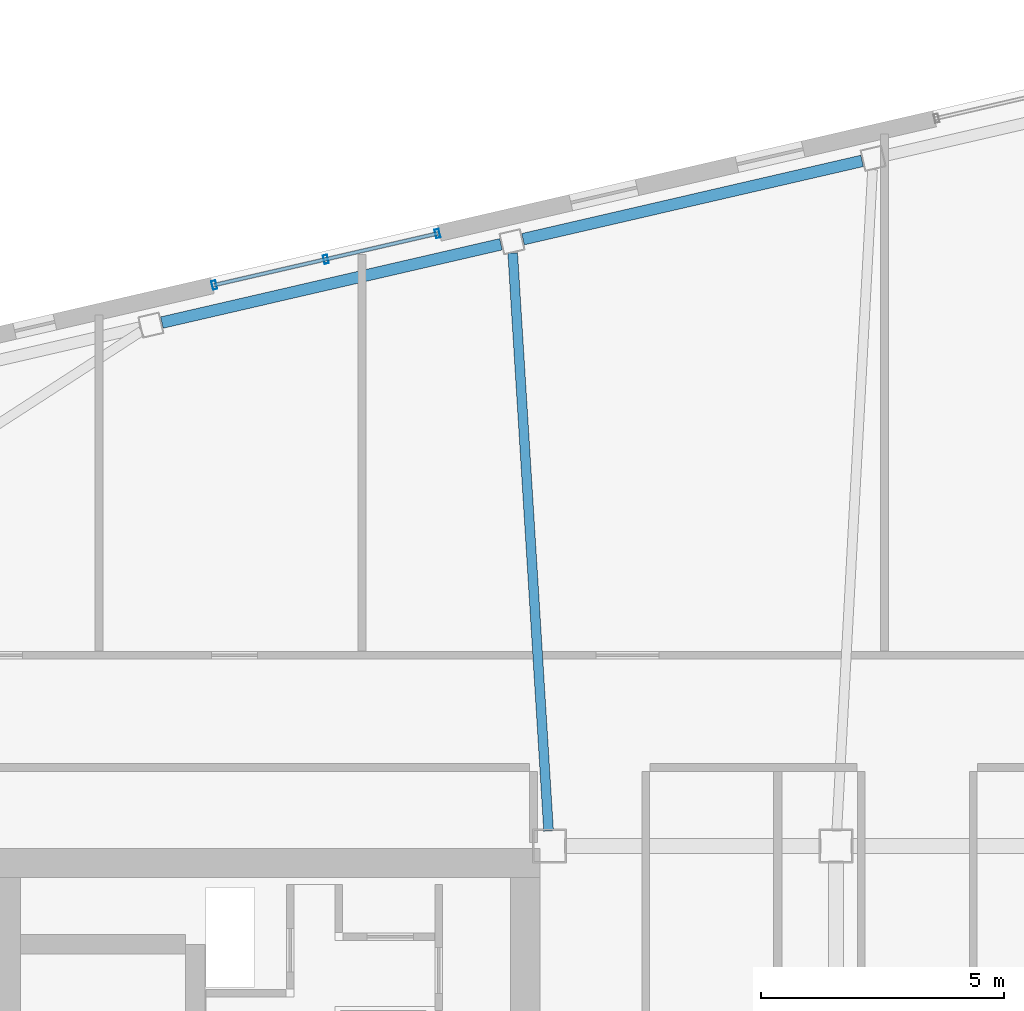
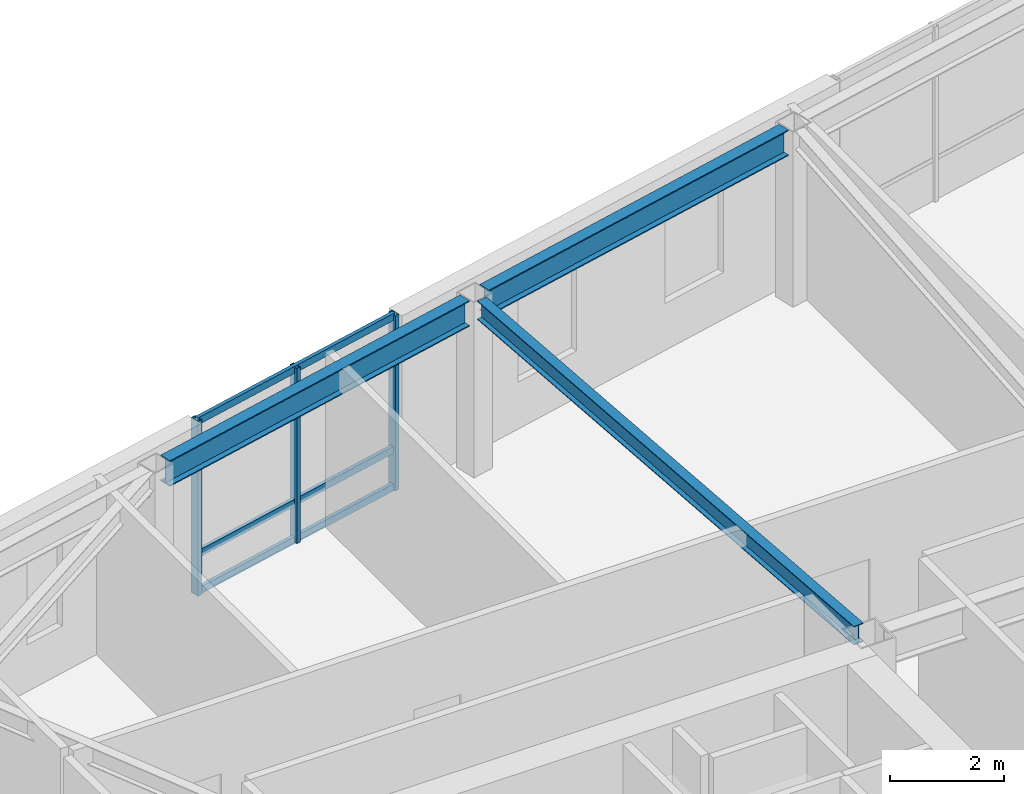
# One storey, part 12 of 23: 6 members, 3 beams, 1 element without a shape of its own.
"""IFC4 building model written with IfcOpenShell, lengths in metres."""

from ifc_helpers import new_model, si_unit, direction, frame, origin, origin_2d, place, context, subcontext, project, spatial, hollow_rectangle, i_section, extrude, material, layer, layer_set, material_profile, profile_set, type_object, element, aggregate, save


model = new_model("IFC4")

# Units and contexts
model_context = context("Model", 3, precision=1e-05, world=origin(), true_north=direction((0.0, 1.0)))
body_context = subcontext(model_context, "Body", "Model", "MODEL_VIEW")
ifc_project = project(units=[si_unit("LENGTHUNIT", "METRE"), si_unit("AREAUNIT", "SQUARE_METRE"), si_unit("VOLUMEUNIT", "CUBIC_METRE"), si_unit("PLANEANGLEUNIT", "RADIAN"), si_unit("MASSUNIT", "GRAM", prefix="KILO")], contexts=[model_context])

# Site, building, storey
site_placement = place(None, origin())
site = spatial("IfcSite", under=ifc_project, at=site_placement, CompositionType="ELEMENT")
building_placement = place(site_placement, origin())
building = spatial("IfcBuilding", under=site, at=building_placement, Name="Tavrogorsk Clinical Tower", CompositionType="ELEMENT")
storey_placement = place(building_placement, frame((0.0, 0.0, 297.0)))
storey = spatial("IfcBuildingStorey", under=building, at=storey_placement, Name="L69", CompositionType="ELEMENT", Elevation=297.0)

# Curtain wall, members
ifc_material_1 = material(Name="Anodised aluminium and triple IGU glazing", Category="aluminium")
ifc_layer = layer(ifc_material_1, 0.179931640625)
ifc_layer_set = layer_set([ifc_layer], Name="Anodised aluminium and triple IGU glazing")
curtain_wall_type = type_object("IfcCurtainWallType", Name="CW2_NorthSlot", PredefinedType="NOTDEFINED", material=ifc_layer_set)
curtain_wall_placement = place(storey_placement, origin())
curtain_wall = element("IfcCurtainWall", 1, at=curtain_wall_placement, inside=storey, type_object=curtain_wall_type, Name="L69 Curtain Wall CW-L69-N-SLOT-1", PredefinedType="NOTDEFINED")
ifc_material_2 = material(Name="Anodised aluminium alloy AW-6060", Category="aluminium")
ifc_material_profile_1 = material_profile(ifc_material_2, hollow_rectangle(XDim=0.090087890625, YDim=0.179931640625, WallThickness=0.00634765625, at=origin_2d()), Name="RHS-180x90x6.3")
ifc_profile_set_1 = profile_set([ifc_material_profile_1], Name="Anodised aluminium alloy AW-6060")
member_type_1 = type_object("IfcMemberType", Name="CwMullion_180x90", PredefinedType="MULLION", material=ifc_profile_set_1)
member_1_placement = place(storey_placement, frame((-12.608154296875, 18.9658203125, 0.0), z_axis=(0.0, 0.0, 1.0), x_axis=(-0.974370057377, -0.224951086434, 0.0)))
member_1 = element("IfcMember", 2, at=member_1_placement, type_object=member_type_1, Name="CW-L69-N-SLOT-1 Mullion 1", PredefinedType="MULLION", context=body_context, shape_type="SweptSolid", body=[
    extrude(hollow_rectangle(XDim=0.090087890625, YDim=0.179931640625, WallThickness=0.00634765625, at=origin_2d()), origin(), (0.0, 0.0, 1.0), 3.739990234375),
])
member_2_placement = place(storey_placement, frame((-14.90673828125, 18.435302734375, 0.0), z_axis=(0.0, 0.0, 1.0), x_axis=(-0.974370057377, -0.224951086434, 0.0)))
member_2 = element("IfcMember", 3, at=member_2_placement, type_object=member_type_1, Name="CW-L69-N-SLOT-1 Mullion 2", PredefinedType="MULLION", context=body_context, shape_type="SweptSolid", body=[
    extrude(hollow_rectangle(XDim=0.090087890625, YDim=0.179931640625, WallThickness=0.00634765625, at=origin_2d()), origin(), (0.0, 0.0, 1.0), 3.739990234375),
])
member_3_placement = place(storey_placement, frame((-17.205322265625, 17.904541015625, 0.0), z_axis=(0.0, 0.0, 1.0), x_axis=(-0.974370057377, -0.224951086434, 0.0)))
member_3 = element("IfcMember", 4, at=member_3_placement, type_object=member_type_1, Name="CW-L69-N-SLOT-1 Mullion 3", PredefinedType="MULLION", context=body_context, shape_type="SweptSolid", body=[
    extrude(hollow_rectangle(XDim=0.090087890625, YDim=0.179931640625, WallThickness=0.00634765625, at=origin_2d()), origin(), (0.0, 0.0, 1.0), 3.739990234375),
])
ifc_material_3 = material(Name="Anodised aluminium alloy AW-6060", Category="aluminium")
ifc_material_profile_2 = material_profile(ifc_material_3, hollow_rectangle(XDim=0.074951171875, YDim=0.14990234375, WallThickness=0.0048828125, at=origin_2d()), Name="RHS-150x75x5")
ifc_profile_set_2 = profile_set([ifc_material_profile_2], Name="Anodised aluminium alloy AW-6060")
member_type_2 = type_object("IfcMemberType", Name="CwTransom_150x75", PredefinedType="USERDEFINED", material=ifc_profile_set_2)
member_4_placement = place(storey_placement, frame((-12.608154296875, 18.9658203125, 0.050048828125), z_axis=(-0.974372877948, -0.22493886885, 0.0), x_axis=(0.22493886885, -0.974372877948, 0.0)))
member_4 = element("IfcMember", 5, at=member_4_placement, type_object=member_type_2, Name="CW-L69-N-SLOT-1 Transom 1", ObjectType="TRANSOM", PredefinedType="USERDEFINED", context=body_context, shape_type="SweptSolid", body=[
    extrude(hollow_rectangle(XDim=0.074951171875, YDim=0.14990234375, WallThickness=0.0048828125, at=origin_2d()), origin(), (0.0, 0.0, 1.0), 4.718017578125),
])
member_5_placement = place(storey_placement, frame((-12.608154296875, 18.9658203125, 0.85009765625), z_axis=(-0.974372877948, -0.22493886885, 0.0), x_axis=(0.22493886885, -0.974372877948, 0.0)))
member_5 = element("IfcMember", 6, at=member_5_placement, type_object=member_type_2, Name="CW-L69-N-SLOT-1 Transom 2", ObjectType="TRANSOM", PredefinedType="USERDEFINED", context=body_context, shape_type="SweptSolid", body=[
    extrude(hollow_rectangle(XDim=0.074951171875, YDim=0.14990234375, WallThickness=0.0048828125, at=origin_2d()), origin(), (0.0, 0.0, 1.0), 4.718017578125),
])
member_6_placement = place(storey_placement, frame((-12.608154296875, 18.9658203125, 3.68994140625), z_axis=(-0.974372877948, -0.22493886885, 0.0), x_axis=(0.22493886885, -0.974372877948, 0.0)))
member_6 = element("IfcMember", 7, at=member_6_placement, type_object=member_type_2, Name="CW-L69-N-SLOT-1 Transom 3", ObjectType="TRANSOM", PredefinedType="USERDEFINED", context=body_context, shape_type="SweptSolid", body=[
    extrude(hollow_rectangle(XDim=0.074951171875, YDim=0.14990234375, WallThickness=0.0048828125, at=origin_2d()), origin(), (0.0, 0.0, 1.0), 4.718017578125),
])
aggregate(curtain_wall, [member_1, member_2, member_3, member_4, member_5, member_6])

# Beams
ifc_material_4 = material(Name="Structural steel S355", Category="steel")
ifc_material_profile_3 = material_profile(ifc_material_4, i_section(OverallWidth=0.199951171875, OverallDepth=0.39990234375, WebThickness=0.010498046875, FlangeThickness=0.01611328125, at=origin_2d()), Name="B-400x200x10.5x16")
ifc_profile_set_3 = profile_set([ifc_material_profile_3], Name="Structural steel S355")
beam_type_1 = type_object("IfcBeamType", Name="FloorBeam_B400", PredefinedType="BEAM", material=ifc_profile_set_3)
beam_placement = place(storey_placement, frame((-10.319091796875, 6.659423828125, 3.5400390625), z_axis=(-0.06197688672, 0.998077584916, 0.0), x_axis=(-0.998077584916, -0.06197688672, 0.0)))
element("IfcBeam", 8, at=beam_placement, inside=storey, type_object=beam_type_1, Name="L69 Radial Floor Beam N5", PredefinedType="BEAM", context=body_context, shape_type="SweptSolid", body=[
    extrude(i_section(OverallWidth=0.199951171875, OverallDepth=0.39990234375, WebThickness=0.010498046875, FlangeThickness=0.01611328125, at=origin_2d()), origin(), (0.0, 0.0, 1.0), 11.927978515625),
])
ifc_material_5 = material(Name="Structural steel S390", Category="steel")
ifc_material_profile_4 = material_profile(ifc_material_5, i_section(OverallWidth=0.239990234375, OverallDepth=0.550048828125, WebThickness=0.013916015625, FlangeThickness=0.02197265625, at=origin_2d()), Name="B-550x240x14x22")
ifc_profile_set_4 = profile_set([ifc_material_profile_4], Name="Structural steel S390")
beam_type_2 = type_object("IfcBeamType", Name="SpandrelBeam_B550", PredefinedType="SPANDREL", material=ifc_profile_set_4)
for number, where, z_axis, x_axis, name in (
    (9, (-3.861328125, 20.4619140625, 3.465087890625), (-0.974367655018, -0.224961491939, 0.0), (0.224961491939, -0.974367655018, 0.0), "L69 Perimeter Spandrel N4-N5"),
    (10, (-11.2998046875, 18.74462890625, 3.465087890625), (-0.974367655018, -0.224961491939, 0.0), (0.224961491939, -0.974367655018, 0.0), "L69 Perimeter Spandrel N5-N6"),
):
    element("IfcBeam", number, at=place(storey_placement, frame(where, z_axis=z_axis, x_axis=x_axis)), inside=storey, type_object=beam_type_2, Name=name, PredefinedType="SPANDREL", context=body_context, shape_type="SweptSolid", body=[
        extrude(i_section(OverallWidth=0.239990234375, OverallDepth=0.550048828125, WebThickness=0.013916015625, FlangeThickness=0.02197265625, at=origin_2d()), origin(), (0.0, 0.0, 1.0), 7.168212890625),
    ])

save(model, "model.ifc")
